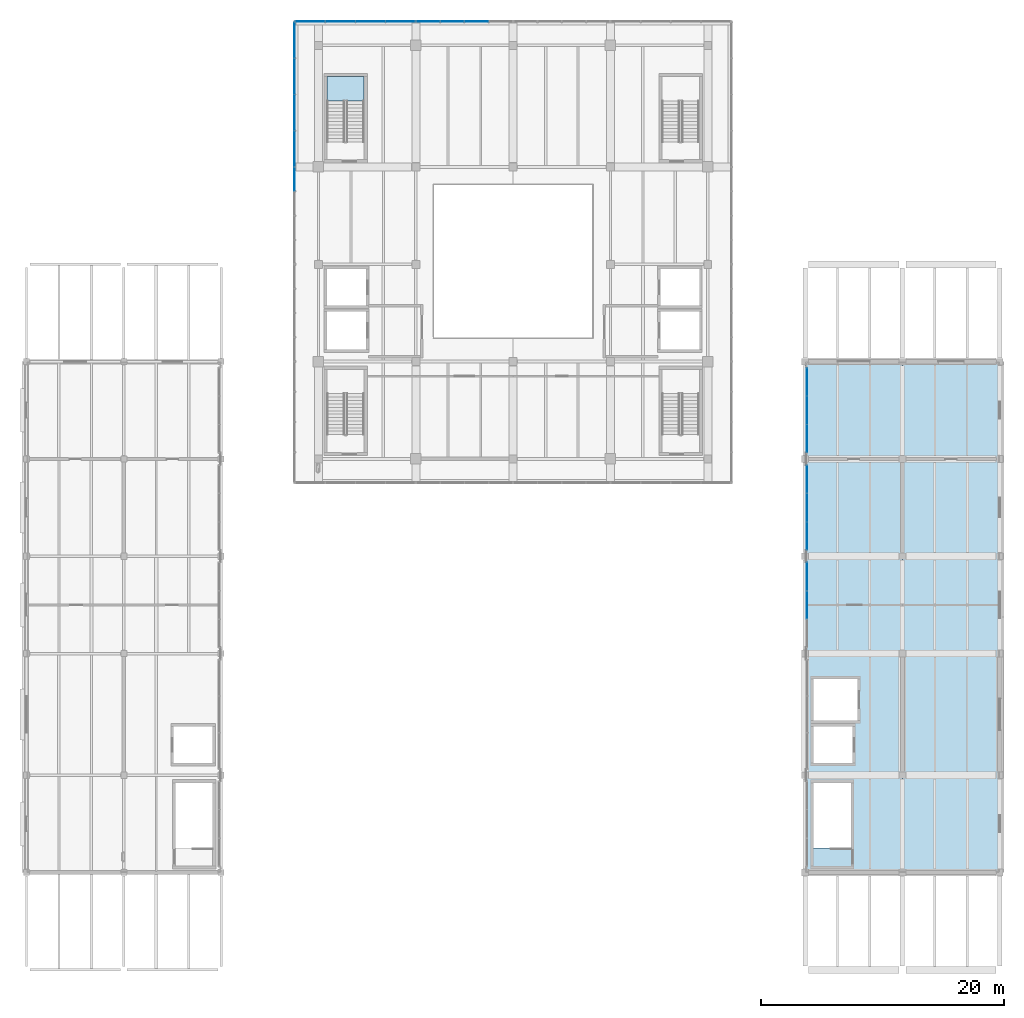
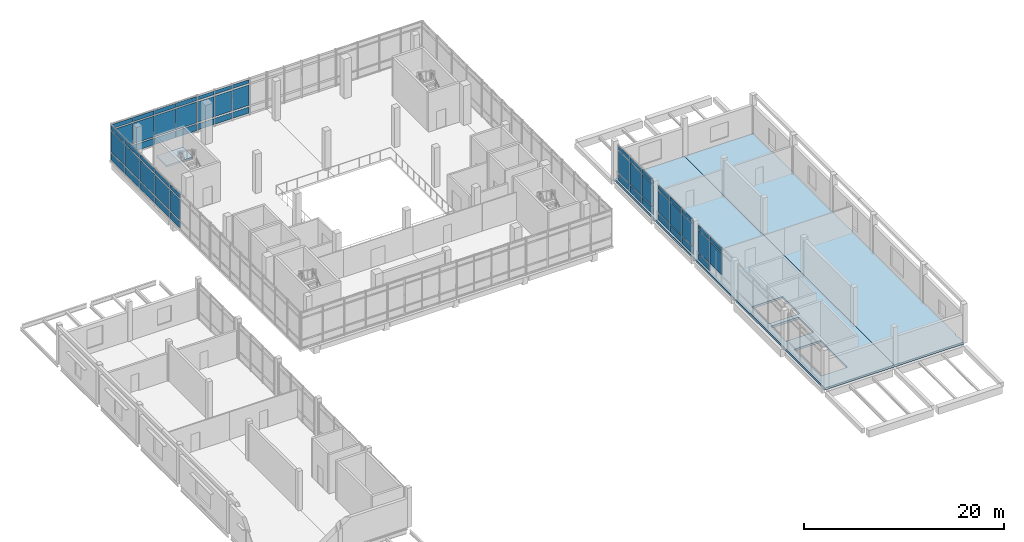
# One storey, part 18 of 28: 59 plates, 3 slabs, 8 elements without a shape of their own.
"""IFC4 building model written with IfcOpenShell, lengths in metres."""

from ifc_helpers import new_model, si_unit, direction, frame, origin, origin_2d, place, context, subcontext, project, spatial, polyline, rectangle, outline, extrude, material, layer, layer_set, type_object, element, aggregate, save


model = new_model("IFC4")

# Units and contexts
model_context = context("Model", 3, precision=1e-05, world=origin(), true_north=direction((0.0, 1.0)))
body_context = subcontext(model_context, "Body", "Model", "MODEL_VIEW")
ifc_project = project(units=[si_unit("LENGTHUNIT", "METRE"), si_unit("AREAUNIT", "SQUARE_METRE"), si_unit("VOLUMEUNIT", "CUBIC_METRE"), si_unit("PLANEANGLEUNIT", "RADIAN"), si_unit("MASSUNIT", "GRAM", prefix="KILO")], contexts=[model_context])

# Site, building, storey
site_placement = place(None, origin())
site = spatial("IfcSite", under=ifc_project, at=site_placement, CompositionType="ELEMENT")
building_placement = place(site_placement, origin())
building = spatial("IfcBuilding", under=site, at=building_placement, Name="Pecanmere Concourse Central Library", CompositionType="ELEMENT")
storey_placement = place(building_placement, frame((0.0, 0.0, 20.10009765625)))
storey = spatial("IfcBuildingStorey", under=building, at=storey_placement, Name="L05", CompositionType="ELEMENT", Elevation=20.10009765625)

# Curtain wall, plates
ifc_material_1 = material(Name="Anodized bronze aluminium alloy 6063-T6", Category="aluminium")
curtain_wall_type_1 = type_object("IfcCurtainWallType", Name="CW_PORTAL_CLEAR", PredefinedType="USERDEFINED", material=ifc_material_1)
curtain_wall_1_placement = place(storey_placement, origin())
curtain_wall_1 = element("IfcCurtainWall", 1, at=curtain_wall_1_placement, inside=storey, type_object=curtain_wall_type_1, Name="Unitised Curtain Wall CW-03 L05-056", ObjectType="UNITISED CURTAIN WALL", PredefinedType="USERDEFINED")
ifc_material_2 = material(Name="White ceramic-fritted insulated spandrel glazing", Category="glass")
ifc_layer_1 = layer(ifc_material_2, 0.053955078125, Name="CWP_SPN_54")
ifc_layer_set_1 = layer_set([ifc_layer_1], Name="White ceramic-fritted insulated spandrel glazing")
plate_type_1 = type_object("IfcPlateType", Name="CWP_SPN_54", PredefinedType="CURTAIN_PANEL", material=ifc_layer_set_1)
plate_1_placement = place(storey_placement, frame((84.998779296875, 125.96142578125, 0.2099609375), z_axis=(0.0, 0.0, 1.0), x_axis=(-1.0, 0.0, 0.0)))
plate_1 = element("IfcPlate", 2, at=plate_1_placement, type_object=plate_type_1, Name="CW-03 Spandrel Panel 2.1", PredefinedType="CURTAIN_PANEL", context=body_context, shape_type="SweptSolid", body=[
    extrude(rectangle(XDim=1.91259765625, YDim=0.035888671875, at=origin_2d()), origin(), (0.0, 0.0, 1.0), 0.735107421875),
])
plate_2_placement = place(storey_placement, frame((83.001220703125, 125.96142578125, 0.2099609375), z_axis=(0.0, 0.0, 1.0), x_axis=(-1.0, 0.0, 0.0)))
plate_2 = element("IfcPlate", 3, at=plate_2_placement, type_object=plate_type_1, Name="CW-03 Spandrel Panel 3.1", PredefinedType="CURTAIN_PANEL", context=body_context, shape_type="SweptSolid", body=[
    extrude(rectangle(XDim=1.91259765625, YDim=0.035888671875, at=origin_2d()), origin(), (0.0, 0.0, 1.0), 0.735107421875),
])
plate_3_placement = place(storey_placement, frame((81.02490234375, 125.96142578125, 0.2099609375), z_axis=(0.0, 0.0, 1.0), x_axis=(-1.0, 0.0, 0.0)))
plate_3 = element("IfcPlate", 4, at=plate_3_placement, type_object=plate_type_1, Name="CW-03 Spandrel Panel 4.1", PredefinedType="CURTAIN_PANEL", context=body_context, shape_type="SweptSolid", body=[
    extrude(rectangle(XDim=1.8701171875, YDim=0.035888671875, at=origin_2d()), origin(), (0.0, 0.0, 1.0), 0.735107421875),
])

ifc_material_3 = material(Name="Anodized bronze aluminium alloy 6063-T6", Category="aluminium")
curtain_wall_type_2 = type_object("IfcCurtainWallType", Name="CW_PLUMB_BANDED", PredefinedType="USERDEFINED", material=ifc_material_3)
curtain_wall_2_placement = place(storey_placement, origin())
curtain_wall_2 = element("IfcCurtainWall", 5, at=curtain_wall_2_placement, inside=storey, type_object=curtain_wall_type_2, Name="Unitised Curtain Wall CW-02 L05-057", ObjectType="UNITISED CURTAIN WALL", PredefinedType="USERDEFINED")
plate_4_placement = place(storey_placement, frame((78.7392578125, 125.96142578125, 0.159912109375), z_axis=(0.0, 0.0, 1.0), x_axis=(-1.0, 0.0, 0.0)))
plate_4 = element("IfcPlate", 6, at=plate_4_placement, type_object=plate_type_1, Name="CW-02 Spandrel Panel 1.1", PredefinedType="CURTAIN_PANEL", context=body_context, shape_type="SweptSolid", body=[
    extrude(rectangle(XDim=2.381591796875, YDim=0.035888671875, at=origin_2d()), origin(), (0.0, 0.0, 1.0), 0.81005859375),
])
plate_5_placement = place(storey_placement, frame((76.2763671875, 125.96142578125, 0.159912109375), z_axis=(0.0, 0.0, 1.0), x_axis=(-1.0, 0.0, 0.0)))
plate_5 = element("IfcPlate", 7, at=plate_5_placement, type_object=plate_type_1, Name="CW-02 Spandrel Panel 2.1", PredefinedType="CURTAIN_PANEL", context=body_context, shape_type="SweptSolid", body=[
    extrude(rectangle(XDim=2.4140625, YDim=0.035888671875, at=origin_2d()), origin(), (0.0, 0.0, 1.0), 0.81005859375),
])
plate_6_placement = place(storey_placement, frame((73.797119140625, 125.96142578125, 0.159912109375), z_axis=(0.0, 0.0, 1.0), x_axis=(-1.0, 0.0, 0.0)))
plate_6 = element("IfcPlate", 8, at=plate_6_placement, type_object=plate_type_1, Name="CW-02 Spandrel Panel 3.1", PredefinedType="CURTAIN_PANEL", context=body_context, shape_type="SweptSolid", body=[
    extrude(rectangle(XDim=2.4140625, YDim=0.035888671875, at=origin_2d()), origin(), (0.0, 0.0, 1.0), 0.81005859375),
])
plate_7_placement = place(storey_placement, frame((71.334228515625, 125.96142578125, 0.159912109375), z_axis=(0.0, 0.0, 1.0), x_axis=(-1.0, 0.0, 0.0)))
plate_7 = element("IfcPlate", 9, at=plate_7_placement, type_object=plate_type_1, Name="CW-02 Spandrel Panel 4.1", PredefinedType="CURTAIN_PANEL", context=body_context, shape_type="SweptSolid", body=[
    extrude(rectangle(XDim=2.381591796875, YDim=0.035888671875, at=origin_2d()), origin(), (0.0, 0.0, 1.0), 0.81005859375),
])

curtain_wall_3_placement = place(storey_placement, origin())
curtain_wall_3 = element("IfcCurtainWall", 10, at=curtain_wall_3_placement, inside=storey, type_object=curtain_wall_type_2, Name="Unitised Curtain Wall CW-02 L05-066", ObjectType="UNITISED CURTAIN WALL", PredefinedType="USERDEFINED")
plate_8_placement = place(storey_placement, frame((70.03857421875, 124.415771484375, 0.159912109375), z_axis=(0.0, 0.0, 1.0), x_axis=(0.0, -1.0, 0.0)))
plate_8 = element("IfcPlate", 11, at=plate_8_placement, type_object=plate_type_1, Name="CW-02 Spandrel Panel 1.1", PredefinedType="CURTAIN_PANEL", context=body_context, shape_type="SweptSolid", body=[
    extrude(rectangle(XDim=2.881591796875, YDim=0.035888671875, at=origin_2d()), origin(), (0.0, 0.0, 1.0), 0.81005859375),
])
plate_9_placement = place(storey_placement, frame((70.03857421875, 121.452880859375, 0.159912109375), z_axis=(0.0, 0.0, 1.0), x_axis=(0.0, -1.0, 0.0)))
plate_9 = element("IfcPlate", 12, at=plate_9_placement, type_object=plate_type_1, Name="CW-02 Spandrel Panel 2.1", PredefinedType="CURTAIN_PANEL", context=body_context, shape_type="SweptSolid", body=[
    extrude(rectangle(XDim=2.9140625, YDim=0.035888671875, at=origin_2d()), origin(), (0.0, 0.0, 1.0), 0.81005859375),
])
plate_10_placement = place(storey_placement, frame((70.03857421875, 118.4736328125, 0.159912109375), z_axis=(0.0, 0.0, 1.0), x_axis=(0.0, -1.0, 0.0)))
plate_10 = element("IfcPlate", 13, at=plate_10_placement, type_object=plate_type_1, Name="CW-02 Spandrel Panel 3.1", PredefinedType="CURTAIN_PANEL", context=body_context, shape_type="SweptSolid", body=[
    extrude(rectangle(XDim=2.9140625, YDim=0.035888671875, at=origin_2d()), origin(), (0.0, 0.0, 1.0), 0.81005859375),
])
plate_11_placement = place(storey_placement, frame((70.03857421875, 115.5107421875, 0.159912109375), z_axis=(0.0, 0.0, 1.0), x_axis=(0.0, -1.0, 0.0)))
plate_11 = element("IfcPlate", 14, at=plate_11_placement, type_object=plate_type_1, Name="CW-02 Spandrel Panel 4.1", PredefinedType="CURTAIN_PANEL", context=body_context, shape_type="SweptSolid", body=[
    extrude(rectangle(XDim=2.881591796875, YDim=0.035888671875, at=origin_2d()), origin(), (0.0, 0.0, 1.0), 0.81005859375),
])

# Curtain wall, plate
curtain_wall_4_placement = place(storey_placement, origin())
curtain_wall_4 = element("IfcCurtainWall", 15, at=curtain_wall_4_placement, inside=storey, type_object=curtain_wall_type_2, Name="Unitised Curtain Wall CW-02 L05-067", ObjectType="UNITISED CURTAIN WALL", PredefinedType="USERDEFINED")
plate_12_placement = place(storey_placement, frame((70.03857421875, 112.97998046875, 0.159912109375), z_axis=(0.0, 0.0, 1.0), x_axis=(0.0, -1.0, 0.0)))
plate_12 = element("IfcPlate", 16, at=plate_12_placement, type_object=plate_type_1, Name="CW-02 Spandrel Panel 1.1", PredefinedType="CURTAIN_PANEL", context=body_context, shape_type="SweptSolid", body=[
    extrude(rectangle(XDim=1.89990234375, YDim=0.035888671875, at=origin_2d()), origin(), (0.0, 0.0, 1.0), 0.81005859375),
])

ifc_material_4 = material(Name="Clear anodized aluminium alloy 6063-T6", Category="aluminium")
curtain_wall_type_3 = type_object("IfcCurtainWallType", Name="CW_CLOISTER_GLAZ", PredefinedType="USERDEFINED", material=ifc_material_4)
curtain_wall_5_placement = place(storey_placement, origin())
curtain_wall_5 = element("IfcCurtainWall", 17, at=curtain_wall_5_placement, inside=storey, type_object=curtain_wall_type_3, Name="Unitised Curtain Wall CW-04 L05-157", ObjectType="UNITISED CURTAIN WALL", PredefinedType="USERDEFINED")
plate_13_placement = place(storey_placement, frame((112.14990234375, 80.331787109375, 0.139892578125), z_axis=(0.0, 0.0, 1.0), x_axis=(0.0, -1.0, 0.0)))
plate_13 = element("IfcPlate", 18, at=plate_13_placement, type_object=plate_type_1, Name="CW-04 Spandrel Panel 1.1", PredefinedType="CURTAIN_PANEL", context=body_context, shape_type="SweptSolid", body=[
    extrude(rectangle(XDim=2.256591796875, YDim=0.035888671875, at=origin_2d()), origin(), (0.0, 0.0, 1.0), 0.7900390625),
])

# Curtain wall, plates
curtain_wall_6_placement = place(storey_placement, origin())
curtain_wall_6 = element("IfcCurtainWall", 19, at=curtain_wall_6_placement, inside=storey, type_object=curtain_wall_type_3, Name="Unitised Curtain Wall CW-04 L05-159", ObjectType="UNITISED CURTAIN WALL", PredefinedType="USERDEFINED")
plate_14_placement = place(storey_placement, frame((112.14990234375, 88.331787109375, 0.139892578125), z_axis=(0.0, 0.0, 1.0), x_axis=(0.0, -1.0, 0.0)))
plate_14 = element("IfcPlate", 20, at=plate_14_placement, type_object=plate_type_1, Name="CW-04 Spandrel Panel 1.1", PredefinedType="CURTAIN_PANEL", context=body_context, shape_type="SweptSolid", body=[
    extrude(rectangle(XDim=2.256591796875, YDim=0.035888671875, at=origin_2d()), origin(), (0.0, 0.0, 1.0), 0.7900390625),
])
plate_15_placement = place(storey_placement, frame((112.14990234375, 86.0, 0.139892578125), z_axis=(0.0, 0.0, 1.0), x_axis=(0.0, -1.0, 0.0)))
plate_15 = element("IfcPlate", 21, at=plate_15_placement, type_object=plate_type_1, Name="CW-04 Spandrel Panel 2.1", PredefinedType="CURTAIN_PANEL", context=body_context, shape_type="SweptSolid", body=[
    extrude(rectangle(XDim=2.28662109375, YDim=0.035888671875, at=origin_2d()), origin(), (0.0, 0.0, 1.0), 0.7900390625),
])
plate_16_placement = place(storey_placement, frame((112.14990234375, 83.668212890625, 0.139892578125), z_axis=(0.0, 0.0, 1.0), x_axis=(0.0, -1.0, 0.0)))
plate_16 = element("IfcPlate", 22, at=plate_16_placement, type_object=plate_type_1, Name="CW-04 Spandrel Panel 3.1", PredefinedType="CURTAIN_PANEL", context=body_context, shape_type="SweptSolid", body=[
    extrude(rectangle(XDim=2.256591796875, YDim=0.035888671875, at=origin_2d()), origin(), (0.0, 0.0, 1.0), 0.7900390625),
])

curtain_wall_7_placement = place(storey_placement, origin())
curtain_wall_7 = element("IfcCurtainWall", 23, at=curtain_wall_7_placement, inside=storey, type_object=curtain_wall_type_3, Name="Unitised Curtain Wall CW-04 L05-161", ObjectType="UNITISED CURTAIN WALL", PredefinedType="USERDEFINED")
plate_17_placement = place(storey_placement, frame((112.14990234375, 96.331787109375, 0.139892578125), z_axis=(0.0, 0.0, 1.0), x_axis=(0.0, -1.0, 0.0)))
plate_17 = element("IfcPlate", 24, at=plate_17_placement, type_object=plate_type_1, Name="CW-04 Spandrel Panel 1.1", PredefinedType="CURTAIN_PANEL", context=body_context, shape_type="SweptSolid", body=[
    extrude(rectangle(XDim=2.256591796875, YDim=0.035888671875, at=origin_2d()), origin(), (0.0, 0.0, 1.0), 0.7900390625),
])
plate_18_placement = place(storey_placement, frame((112.14990234375, 94.0, 0.139892578125), z_axis=(0.0, 0.0, 1.0), x_axis=(0.0, -1.0, 0.0)))
plate_18 = element("IfcPlate", 25, at=plate_18_placement, type_object=plate_type_1, Name="CW-04 Spandrel Panel 2.1", PredefinedType="CURTAIN_PANEL", context=body_context, shape_type="SweptSolid", body=[
    extrude(rectangle(XDim=2.28662109375, YDim=0.035888671875, at=origin_2d()), origin(), (0.0, 0.0, 1.0), 0.7900390625),
])
plate_19_placement = place(storey_placement, frame((112.14990234375, 91.668212890625, 0.139892578125), z_axis=(0.0, 0.0, 1.0), x_axis=(0.0, -1.0, 0.0)))
plate_19 = element("IfcPlate", 26, at=plate_19_placement, type_object=plate_type_1, Name="CW-04 Spandrel Panel 3.1", PredefinedType="CURTAIN_PANEL", context=body_context, shape_type="SweptSolid", body=[
    extrude(rectangle(XDim=2.256591796875, YDim=0.035888671875, at=origin_2d()), origin(), (0.0, 0.0, 1.0), 0.7900390625),
])

# Plate
ifc_material_5 = material(Name="Low-iron clear insulated glazing", Category="glass")
ifc_layer_2 = layer(ifc_material_5, 0.035888671875, Name="CWP_VIS_36")
ifc_layer_set_2 = layer_set([ifc_layer_2], Name="Low-iron clear insulated glazing")
plate_type_2 = type_object("IfcPlateType", Name="CWP_VIS_36", PredefinedType="CURTAIN_PANEL", material=ifc_layer_set_2)
plate_20_placement = place(storey_placement, frame((84.998779296875, 125.96142578125, 1.15478515625), z_axis=(0.0, 0.0, 1.0), x_axis=(-1.0, 0.0, 0.0)))
plate_20 = element("IfcPlate", 27, at=plate_20_placement, type_object=plate_type_2, Name="CW-03 Vision Panel 2.2", PredefinedType="CURTAIN_PANEL", context=body_context, shape_type="SweptSolid", body=[
    extrude(rectangle(XDim=1.91259765625, YDim=0.035888671875, at=origin_2d()), origin(), (0.0, 0.0, 1.0), 2.489990234375),
])

plate_21_placement = place(storey_placement, frame((84.998779296875, 125.96142578125, 3.85498046875), z_axis=(0.0, 0.0, 1.0), x_axis=(-1.0, 0.0, 0.0)))
plate_21 = element("IfcPlate", 28, at=plate_21_placement, type_object=plate_type_2, Name="CW-03 Vision Panel 2.3", PredefinedType="CURTAIN_PANEL", context=body_context, shape_type="SweptSolid", body=[
    extrude(rectangle(XDim=1.91259765625, YDim=0.035888671875, at=origin_2d()), origin(), (0.0, 0.0, 1.0), 0.43505859375),
])

plate_22_placement = place(storey_placement, frame((83.001220703125, 125.96142578125, 1.15478515625), z_axis=(0.0, 0.0, 1.0), x_axis=(-1.0, 0.0, 0.0)))
plate_22 = element("IfcPlate", 29, at=plate_22_placement, type_object=plate_type_2, Name="CW-03 Vision Panel 3.2", PredefinedType="CURTAIN_PANEL", context=body_context, shape_type="SweptSolid", body=[
    extrude(rectangle(XDim=1.91259765625, YDim=0.035888671875, at=origin_2d()), origin(), (0.0, 0.0, 1.0), 2.489990234375),
])

plate_23_placement = place(storey_placement, frame((83.001220703125, 125.96142578125, 3.85498046875), z_axis=(0.0, 0.0, 1.0), x_axis=(-1.0, 0.0, 0.0)))
plate_23 = element("IfcPlate", 30, at=plate_23_placement, type_object=plate_type_2, Name="CW-03 Vision Panel 3.3", PredefinedType="CURTAIN_PANEL", context=body_context, shape_type="SweptSolid", body=[
    extrude(rectangle(XDim=1.91259765625, YDim=0.035888671875, at=origin_2d()), origin(), (0.0, 0.0, 1.0), 0.43505859375),
])

plate_24_placement = place(storey_placement, frame((81.02490234375, 125.96142578125, 1.15478515625), z_axis=(0.0, 0.0, 1.0), x_axis=(-1.0, 0.0, 0.0)))
plate_24 = element("IfcPlate", 31, at=plate_24_placement, type_object=plate_type_2, Name="CW-03 Vision Panel 4.2", PredefinedType="CURTAIN_PANEL", context=body_context, shape_type="SweptSolid", body=[
    extrude(rectangle(XDim=1.8701171875, YDim=0.035888671875, at=origin_2d()), origin(), (0.0, 0.0, 1.0), 2.489990234375),
])

plate_25_placement = place(storey_placement, frame((81.02490234375, 125.96142578125, 3.85498046875), z_axis=(0.0, 0.0, 1.0), x_axis=(-1.0, 0.0, 0.0)))
plate_25 = element("IfcPlate", 32, at=plate_25_placement, type_object=plate_type_2, Name="CW-03 Vision Panel 4.3", PredefinedType="CURTAIN_PANEL", context=body_context, shape_type="SweptSolid", body=[
    extrude(rectangle(XDim=1.8701171875, YDim=0.035888671875, at=origin_2d()), origin(), (0.0, 0.0, 1.0), 0.43505859375),
])

aggregate(curtain_wall_1, [plate_1, plate_20, plate_21, plate_2, plate_22, plate_23, plate_3, plate_24, plate_25])

plate_26_placement = place(storey_placement, frame((78.7392578125, 125.96142578125, 1.1298828125), z_axis=(0.0, 0.0, 1.0), x_axis=(-1.0, 0.0, 0.0)))
plate_26 = element("IfcPlate", 33, at=plate_26_placement, type_object=plate_type_2, Name="CW-02 Vision Panel 1.2", PredefinedType="CURTAIN_PANEL", context=body_context, shape_type="SweptSolid", body=[
    extrude(rectangle(XDim=2.381591796875, YDim=0.035888671875, at=origin_2d()), origin(), (0.0, 0.0, 1.0), 2.5400390625),
])

plate_27_placement = place(storey_placement, frame((78.7392578125, 125.96142578125, 3.830078125), z_axis=(0.0, 0.0, 1.0), x_axis=(-1.0, 0.0, 0.0)))
plate_27 = element("IfcPlate", 34, at=plate_27_placement, type_object=plate_type_2, Name="CW-02 Vision Panel 1.3", PredefinedType="CURTAIN_PANEL", context=body_context, shape_type="SweptSolid", body=[
    extrude(rectangle(XDim=2.381591796875, YDim=0.035888671875, at=origin_2d()), origin(), (0.0, 0.0, 1.0), 0.510009765625),
])

plate_28_placement = place(storey_placement, frame((76.2763671875, 125.96142578125, 1.1298828125), z_axis=(0.0, 0.0, 1.0), x_axis=(-1.0, 0.0, 0.0)))
plate_28 = element("IfcPlate", 35, at=plate_28_placement, type_object=plate_type_2, Name="CW-02 Vision Panel 2.2", PredefinedType="CURTAIN_PANEL", context=body_context, shape_type="SweptSolid", body=[
    extrude(rectangle(XDim=2.4140625, YDim=0.035888671875, at=origin_2d()), origin(), (0.0, 0.0, 1.0), 2.5400390625),
])

plate_29_placement = place(storey_placement, frame((76.2763671875, 125.96142578125, 3.830078125), z_axis=(0.0, 0.0, 1.0), x_axis=(-1.0, 0.0, 0.0)))
plate_29 = element("IfcPlate", 36, at=plate_29_placement, type_object=plate_type_2, Name="CW-02 Vision Panel 2.3", PredefinedType="CURTAIN_PANEL", context=body_context, shape_type="SweptSolid", body=[
    extrude(rectangle(XDim=2.4140625, YDim=0.035888671875, at=origin_2d()), origin(), (0.0, 0.0, 1.0), 0.510009765625),
])

plate_30_placement = place(storey_placement, frame((73.797119140625, 125.96142578125, 1.1298828125), z_axis=(0.0, 0.0, 1.0), x_axis=(-1.0, 0.0, 0.0)))
plate_30 = element("IfcPlate", 37, at=plate_30_placement, type_object=plate_type_2, Name="CW-02 Vision Panel 3.2", PredefinedType="CURTAIN_PANEL", context=body_context, shape_type="SweptSolid", body=[
    extrude(rectangle(XDim=2.4140625, YDim=0.035888671875, at=origin_2d()), origin(), (0.0, 0.0, 1.0), 2.5400390625),
])

plate_31_placement = place(storey_placement, frame((73.797119140625, 125.96142578125, 3.830078125), z_axis=(0.0, 0.0, 1.0), x_axis=(-1.0, 0.0, 0.0)))
plate_31 = element("IfcPlate", 38, at=plate_31_placement, type_object=plate_type_2, Name="CW-02 Vision Panel 3.3", PredefinedType="CURTAIN_PANEL", context=body_context, shape_type="SweptSolid", body=[
    extrude(rectangle(XDim=2.4140625, YDim=0.035888671875, at=origin_2d()), origin(), (0.0, 0.0, 1.0), 0.510009765625),
])

plate_32_placement = place(storey_placement, frame((71.334228515625, 125.96142578125, 1.1298828125), z_axis=(0.0, 0.0, 1.0), x_axis=(-1.0, 0.0, 0.0)))
plate_32 = element("IfcPlate", 39, at=plate_32_placement, type_object=plate_type_2, Name="CW-02 Vision Panel 4.2", PredefinedType="CURTAIN_PANEL", context=body_context, shape_type="SweptSolid", body=[
    extrude(rectangle(XDim=2.381591796875, YDim=0.035888671875, at=origin_2d()), origin(), (0.0, 0.0, 1.0), 2.5400390625),
])

plate_33_placement = place(storey_placement, frame((71.334228515625, 125.96142578125, 3.830078125), z_axis=(0.0, 0.0, 1.0), x_axis=(-1.0, 0.0, 0.0)))
plate_33 = element("IfcPlate", 40, at=plate_33_placement, type_object=plate_type_2, Name="CW-02 Vision Panel 4.3", PredefinedType="CURTAIN_PANEL", context=body_context, shape_type="SweptSolid", body=[
    extrude(rectangle(XDim=2.381591796875, YDim=0.035888671875, at=origin_2d()), origin(), (0.0, 0.0, 1.0), 0.510009765625),
])

aggregate(curtain_wall_2, [plate_4, plate_26, plate_27, plate_5, plate_28, plate_29, plate_6, plate_30, plate_31, plate_7, plate_32, plate_33])

plate_34_placement = place(storey_placement, frame((70.03857421875, 124.415771484375, 1.1298828125), z_axis=(0.0, 0.0, 1.0), x_axis=(0.0, -1.0, 0.0)))
plate_34 = element("IfcPlate", 41, at=plate_34_placement, type_object=plate_type_2, Name="CW-02 Vision Panel 1.2", PredefinedType="CURTAIN_PANEL", context=body_context, shape_type="SweptSolid", body=[
    extrude(rectangle(XDim=2.881591796875, YDim=0.035888671875, at=origin_2d()), origin(), (0.0, 0.0, 1.0), 2.5400390625),
])

plate_35_placement = place(storey_placement, frame((70.03857421875, 124.415771484375, 3.830078125), z_axis=(0.0, 0.0, 1.0), x_axis=(0.0, -1.0, 0.0)))
plate_35 = element("IfcPlate", 42, at=plate_35_placement, type_object=plate_type_2, Name="CW-02 Vision Panel 1.3", PredefinedType="CURTAIN_PANEL", context=body_context, shape_type="SweptSolid", body=[
    extrude(rectangle(XDim=2.881591796875, YDim=0.035888671875, at=origin_2d()), origin(), (0.0, 0.0, 1.0), 0.510009765625),
])

plate_36_placement = place(storey_placement, frame((70.03857421875, 121.452880859375, 1.1298828125), z_axis=(0.0, 0.0, 1.0), x_axis=(0.0, -1.0, 0.0)))
plate_36 = element("IfcPlate", 43, at=plate_36_placement, type_object=plate_type_2, Name="CW-02 Vision Panel 2.2", PredefinedType="CURTAIN_PANEL", context=body_context, shape_type="SweptSolid", body=[
    extrude(rectangle(XDim=2.9140625, YDim=0.035888671875, at=origin_2d()), origin(), (0.0, 0.0, 1.0), 2.5400390625),
])

plate_37_placement = place(storey_placement, frame((70.03857421875, 121.452880859375, 3.830078125), z_axis=(0.0, 0.0, 1.0), x_axis=(0.0, -1.0, 0.0)))
plate_37 = element("IfcPlate", 44, at=plate_37_placement, type_object=plate_type_2, Name="CW-02 Vision Panel 2.3", PredefinedType="CURTAIN_PANEL", context=body_context, shape_type="SweptSolid", body=[
    extrude(rectangle(XDim=2.9140625, YDim=0.035888671875, at=origin_2d()), origin(), (0.0, 0.0, 1.0), 0.510009765625),
])

plate_38_placement = place(storey_placement, frame((70.03857421875, 118.4736328125, 1.1298828125), z_axis=(0.0, 0.0, 1.0), x_axis=(0.0, -1.0, 0.0)))
plate_38 = element("IfcPlate", 45, at=plate_38_placement, type_object=plate_type_2, Name="CW-02 Vision Panel 3.2", PredefinedType="CURTAIN_PANEL", context=body_context, shape_type="SweptSolid", body=[
    extrude(rectangle(XDim=2.9140625, YDim=0.035888671875, at=origin_2d()), origin(), (0.0, 0.0, 1.0), 2.5400390625),
])

plate_39_placement = place(storey_placement, frame((70.03857421875, 118.4736328125, 3.830078125), z_axis=(0.0, 0.0, 1.0), x_axis=(0.0, -1.0, 0.0)))
plate_39 = element("IfcPlate", 46, at=plate_39_placement, type_object=plate_type_2, Name="CW-02 Vision Panel 3.3", PredefinedType="CURTAIN_PANEL", context=body_context, shape_type="SweptSolid", body=[
    extrude(rectangle(XDim=2.9140625, YDim=0.035888671875, at=origin_2d()), origin(), (0.0, 0.0, 1.0), 0.510009765625),
])

plate_40_placement = place(storey_placement, frame((70.03857421875, 115.5107421875, 1.1298828125), z_axis=(0.0, 0.0, 1.0), x_axis=(0.0, -1.0, 0.0)))
plate_40 = element("IfcPlate", 47, at=plate_40_placement, type_object=plate_type_2, Name="CW-02 Vision Panel 4.2", PredefinedType="CURTAIN_PANEL", context=body_context, shape_type="SweptSolid", body=[
    extrude(rectangle(XDim=2.881591796875, YDim=0.035888671875, at=origin_2d()), origin(), (0.0, 0.0, 1.0), 2.5400390625),
])

plate_41_placement = place(storey_placement, frame((70.03857421875, 115.5107421875, 3.830078125), z_axis=(0.0, 0.0, 1.0), x_axis=(0.0, -1.0, 0.0)))
plate_41 = element("IfcPlate", 48, at=plate_41_placement, type_object=plate_type_2, Name="CW-02 Vision Panel 4.3", PredefinedType="CURTAIN_PANEL", context=body_context, shape_type="SweptSolid", body=[
    extrude(rectangle(XDim=2.881591796875, YDim=0.035888671875, at=origin_2d()), origin(), (0.0, 0.0, 1.0), 0.510009765625),
])

aggregate(curtain_wall_3, [plate_8, plate_34, plate_35, plate_9, plate_36, plate_37, plate_10, plate_38, plate_39, plate_11, plate_40, plate_41])

plate_42_placement = place(storey_placement, frame((70.03857421875, 112.97998046875, 1.1298828125), z_axis=(0.0, 0.0, 1.0), x_axis=(0.0, -1.0, 0.0)))
plate_42 = element("IfcPlate", 49, at=plate_42_placement, type_object=plate_type_2, Name="CW-02 Vision Panel 1.2", PredefinedType="CURTAIN_PANEL", context=body_context, shape_type="SweptSolid", body=[
    extrude(rectangle(XDim=1.89990234375, YDim=0.035888671875, at=origin_2d()), origin(), (0.0, 0.0, 1.0), 2.5400390625),
])

plate_43_placement = place(storey_placement, frame((70.03857421875, 112.97998046875, 3.830078125), z_axis=(0.0, 0.0, 1.0), x_axis=(0.0, -1.0, 0.0)))
plate_43 = element("IfcPlate", 50, at=plate_43_placement, type_object=plate_type_2, Name="CW-02 Vision Panel 1.3", PredefinedType="CURTAIN_PANEL", context=body_context, shape_type="SweptSolid", body=[
    extrude(rectangle(XDim=1.89990234375, YDim=0.035888671875, at=origin_2d()), origin(), (0.0, 0.0, 1.0), 0.510009765625),
])

aggregate(curtain_wall_4, [plate_12, plate_42, plate_43])

plate_44_placement = place(storey_placement, frame((112.14990234375, 80.331787109375, 1.06982421875), z_axis=(0.0, 0.0, 1.0), x_axis=(0.0, -1.0, 0.0)))
plate_44 = element("IfcPlate", 51, at=plate_44_placement, type_object=plate_type_2, Name="CW-04 Vision Panel 1.2", PredefinedType="CURTAIN_PANEL", context=body_context, shape_type="SweptSolid", body=[
    extrude(rectangle(XDim=2.256591796875, YDim=0.035888671875, at=origin_2d()), origin(), (0.0, 0.0, 1.0), 2.659912109375),
])

plate_45_placement = place(storey_placement, frame((112.14990234375, 80.331787109375, 3.8701171875), z_axis=(0.0, 0.0, 1.0), x_axis=(0.0, -1.0, 0.0)))
plate_45 = element("IfcPlate", 52, at=plate_45_placement, type_object=plate_type_2, Name="CW-04 Vision Panel 1.3", PredefinedType="CURTAIN_PANEL", context=body_context, shape_type="SweptSolid", body=[
    extrude(rectangle(XDim=2.256591796875, YDim=0.035888671875, at=origin_2d()), origin(), (0.0, 0.0, 1.0), 0.489990234375),
])

plate_46_placement = place(storey_placement, frame((112.14990234375, 78.0, 1.06982421875), z_axis=(0.0, 0.0, 1.0), x_axis=(0.0, -1.0, 0.0)))
plate_46 = element("IfcPlate", 53, at=plate_46_placement, type_object=plate_type_2, Name="CW-04 Vision Panel 2.2", PredefinedType="CURTAIN_PANEL", context=body_context, shape_type="SweptSolid", body=[
    extrude(rectangle(XDim=2.28662109375, YDim=0.035888671875, at=origin_2d()), origin(), (0.0, 0.0, 1.0), 2.659912109375),
])

plate_47_placement = place(storey_placement, frame((112.14990234375, 78.0, 3.8701171875), z_axis=(0.0, 0.0, 1.0), x_axis=(0.0, -1.0, 0.0)))
plate_47 = element("IfcPlate", 54, at=plate_47_placement, type_object=plate_type_2, Name="CW-04 Vision Panel 2.3", PredefinedType="CURTAIN_PANEL", context=body_context, shape_type="SweptSolid", body=[
    extrude(rectangle(XDim=2.28662109375, YDim=0.035888671875, at=origin_2d()), origin(), (0.0, 0.0, 1.0), 0.489990234375),
])

aggregate(curtain_wall_5, [plate_13, plate_44, plate_45, plate_46, plate_47])

plate_48_placement = place(storey_placement, frame((112.14990234375, 88.331787109375, 1.06982421875), z_axis=(0.0, 0.0, 1.0), x_axis=(0.0, -1.0, 0.0)))
plate_48 = element("IfcPlate", 55, at=plate_48_placement, type_object=plate_type_2, Name="CW-04 Vision Panel 1.2", PredefinedType="CURTAIN_PANEL", context=body_context, shape_type="SweptSolid", body=[
    extrude(rectangle(XDim=2.256591796875, YDim=0.035888671875, at=origin_2d()), origin(), (0.0, 0.0, 1.0), 2.659912109375),
])

plate_49_placement = place(storey_placement, frame((112.14990234375, 88.331787109375, 3.8701171875), z_axis=(0.0, 0.0, 1.0), x_axis=(0.0, -1.0, 0.0)))
plate_49 = element("IfcPlate", 56, at=plate_49_placement, type_object=plate_type_2, Name="CW-04 Vision Panel 1.3", PredefinedType="CURTAIN_PANEL", context=body_context, shape_type="SweptSolid", body=[
    extrude(rectangle(XDim=2.256591796875, YDim=0.035888671875, at=origin_2d()), origin(), (0.0, 0.0, 1.0), 0.489990234375),
])

plate_50_placement = place(storey_placement, frame((112.14990234375, 86.0, 1.06982421875), z_axis=(0.0, 0.0, 1.0), x_axis=(0.0, -1.0, 0.0)))
plate_50 = element("IfcPlate", 57, at=plate_50_placement, type_object=plate_type_2, Name="CW-04 Vision Panel 2.2", PredefinedType="CURTAIN_PANEL", context=body_context, shape_type="SweptSolid", body=[
    extrude(rectangle(XDim=2.28662109375, YDim=0.035888671875, at=origin_2d()), origin(), (0.0, 0.0, 1.0), 2.659912109375),
])

plate_51_placement = place(storey_placement, frame((112.14990234375, 86.0, 3.8701171875), z_axis=(0.0, 0.0, 1.0), x_axis=(0.0, -1.0, 0.0)))
plate_51 = element("IfcPlate", 58, at=plate_51_placement, type_object=plate_type_2, Name="CW-04 Vision Panel 2.3", PredefinedType="CURTAIN_PANEL", context=body_context, shape_type="SweptSolid", body=[
    extrude(rectangle(XDim=2.28662109375, YDim=0.035888671875, at=origin_2d()), origin(), (0.0, 0.0, 1.0), 0.489990234375),
])

plate_52_placement = place(storey_placement, frame((112.14990234375, 83.668212890625, 1.06982421875), z_axis=(0.0, 0.0, 1.0), x_axis=(0.0, -1.0, 0.0)))
plate_52 = element("IfcPlate", 59, at=plate_52_placement, type_object=plate_type_2, Name="CW-04 Vision Panel 3.2", PredefinedType="CURTAIN_PANEL", context=body_context, shape_type="SweptSolid", body=[
    extrude(rectangle(XDim=2.256591796875, YDim=0.035888671875, at=origin_2d()), origin(), (0.0, 0.0, 1.0), 2.659912109375),
])

plate_53_placement = place(storey_placement, frame((112.14990234375, 83.668212890625, 3.8701171875), z_axis=(0.0, 0.0, 1.0), x_axis=(0.0, -1.0, 0.0)))
plate_53 = element("IfcPlate", 60, at=plate_53_placement, type_object=plate_type_2, Name="CW-04 Vision Panel 3.3", PredefinedType="CURTAIN_PANEL", context=body_context, shape_type="SweptSolid", body=[
    extrude(rectangle(XDim=2.256591796875, YDim=0.035888671875, at=origin_2d()), origin(), (0.0, 0.0, 1.0), 0.489990234375),
])

aggregate(curtain_wall_6, [plate_14, plate_48, plate_49, plate_15, plate_50, plate_51, plate_16, plate_52, plate_53])

plate_54_placement = place(storey_placement, frame((112.14990234375, 96.331787109375, 1.06982421875), z_axis=(0.0, 0.0, 1.0), x_axis=(0.0, -1.0, 0.0)))
plate_54 = element("IfcPlate", 61, at=plate_54_placement, type_object=plate_type_2, Name="CW-04 Vision Panel 1.2", PredefinedType="CURTAIN_PANEL", context=body_context, shape_type="SweptSolid", body=[
    extrude(rectangle(XDim=2.256591796875, YDim=0.035888671875, at=origin_2d()), origin(), (0.0, 0.0, 1.0), 2.659912109375),
])

plate_55_placement = place(storey_placement, frame((112.14990234375, 96.331787109375, 3.8701171875), z_axis=(0.0, 0.0, 1.0), x_axis=(0.0, -1.0, 0.0)))
plate_55 = element("IfcPlate", 62, at=plate_55_placement, type_object=plate_type_2, Name="CW-04 Vision Panel 1.3", PredefinedType="CURTAIN_PANEL", context=body_context, shape_type="SweptSolid", body=[
    extrude(rectangle(XDim=2.256591796875, YDim=0.035888671875, at=origin_2d()), origin(), (0.0, 0.0, 1.0), 0.489990234375),
])

plate_56_placement = place(storey_placement, frame((112.14990234375, 94.0, 1.06982421875), z_axis=(0.0, 0.0, 1.0), x_axis=(0.0, -1.0, 0.0)))
plate_56 = element("IfcPlate", 63, at=plate_56_placement, type_object=plate_type_2, Name="CW-04 Vision Panel 2.2", PredefinedType="CURTAIN_PANEL", context=body_context, shape_type="SweptSolid", body=[
    extrude(rectangle(XDim=2.28662109375, YDim=0.035888671875, at=origin_2d()), origin(), (0.0, 0.0, 1.0), 2.659912109375),
])

plate_57_placement = place(storey_placement, frame((112.14990234375, 94.0, 3.8701171875), z_axis=(0.0, 0.0, 1.0), x_axis=(0.0, -1.0, 0.0)))
plate_57 = element("IfcPlate", 64, at=plate_57_placement, type_object=plate_type_2, Name="CW-04 Vision Panel 2.3", PredefinedType="CURTAIN_PANEL", context=body_context, shape_type="SweptSolid", body=[
    extrude(rectangle(XDim=2.28662109375, YDim=0.035888671875, at=origin_2d()), origin(), (0.0, 0.0, 1.0), 0.489990234375),
])

plate_58_placement = place(storey_placement, frame((112.14990234375, 91.668212890625, 1.06982421875), z_axis=(0.0, 0.0, 1.0), x_axis=(0.0, -1.0, 0.0)))
plate_58 = element("IfcPlate", 65, at=plate_58_placement, type_object=plate_type_2, Name="CW-04 Vision Panel 3.2", PredefinedType="CURTAIN_PANEL", context=body_context, shape_type="SweptSolid", body=[
    extrude(rectangle(XDim=2.256591796875, YDim=0.035888671875, at=origin_2d()), origin(), (0.0, 0.0, 1.0), 2.659912109375),
])

plate_59_placement = place(storey_placement, frame((112.14990234375, 91.668212890625, 3.8701171875), z_axis=(0.0, 0.0, 1.0), x_axis=(0.0, -1.0, 0.0)))
plate_59 = element("IfcPlate", 66, at=plate_59_placement, type_object=plate_type_2, Name="CW-04 Vision Panel 3.3", PredefinedType="CURTAIN_PANEL", context=body_context, shape_type="SweptSolid", body=[
    extrude(rectangle(XDim=2.256591796875, YDim=0.035888671875, at=origin_2d()), origin(), (0.0, 0.0, 1.0), 0.489990234375),
])

aggregate(curtain_wall_7, [plate_17, plate_54, plate_55, plate_18, plate_56, plate_57, plate_19, plate_58, plate_59])

# Stair, slab
ifc_material_6 = material(Name="Concrete C35/45", Category="concrete")
stair_type = type_object("IfcStairType", Name="STAIR_TYPE_ST-03-1846", PredefinedType="USERDEFINED", material=ifc_material_6)
stair_placement = place(storey_placement, origin())
stair = element("IfcStair", 67, at=stair_placement, inside=storey, type_object=stair_type, Name="L05 Protected Stair ST-03", ObjectType="TWO_RETURN_STAIR", PredefinedType="USERDEFINED")
ifc_material_7 = material(Name="Concrete C35/45", Category="concrete")
ifc_layer_3 = layer(ifc_material_7, 0.199951171875, Name="SLAB_LANDING_200")
ifc_layer_set_3 = layer_set([ifc_layer_3], Name="Concrete C35/45")
slab_type_1 = type_object("IfcSlabType", Name="SLAB_LANDING_200", PredefinedType="LANDING", material=ifc_layer_set_3)
slab_1_placement = place(storey_placement, frame((0.0, 0.0, 2.199951171875)))
slab_1 = element("IfcSlab", 68, at=slab_1_placement, type_object=slab_type_1, Name="ST-03-1846 landing 1", PredefinedType="LANDING", context=body_context, shape_type="SweptSolid", body=[
    extrude(outline(polyline([(75.760009765625, 119.409912109375), (75.760009765625, 121.419921875), (72.699951171875, 121.419921875), (72.699951171875, 119.409912109375), (75.760009765625, 119.409912109375)])), origin(), (0.0, 0.0, 1.0), 0.199951171875),
])
aggregate(stair, [slab_1])

# Slabs
ifc_material_8 = material(Name="Concrete C35/45", Category="concrete")
ifc_layer_4 = layer(ifc_material_8, 0.25, Name="SLAB_READ_250")
ifc_layer_set_4 = layer_set([ifc_layer_4], Name="Concrete C35/45")
slab_type_2 = type_object("IfcSlabType", Name="SLAB_READ_250", PredefinedType="FLOOR", material=ifc_layer_set_4)
slab_2_placement = place(storey_placement, frame((0.0, 0.0, -0.25)))
element("IfcSlab", 69, at=slab_2_placement, inside=storey, type_object=slab_type_2, Name="Floor Slab V2 L05-136", PredefinedType="FLOOR", context=body_context, shape_type="SweptSolid", body=[
    extrude(outline(polyline([(120.0, 56.0), (112.0, 56.0), (112.0, 98.0), (120.0, 98.0), (120.0, 56.0)]), holes=[polyline([(112.699951171875, 63.3701171875), (112.699951171875, 58.030029296875), (115.760009765625, 58.030029296875), (115.760009765625, 63.3701171875), (112.699951171875, 63.3701171875)]), polyline([(115.89990234375, 68.0), (112.699951171875, 68.0), (112.699951171875, 65.0), (115.89990234375, 65.0), (115.89990234375, 68.0)]), polyline([(116.300048828125, 71.89990234375), (112.699951171875, 71.89990234375), (112.699951171875, 68.5), (116.300048828125, 68.5), (116.300048828125, 71.89990234375)])]), origin(), (0.0, 0.0, 1.0), 0.25),
])
slab_3_placement = place(storey_placement, frame((0.0, 0.0, -0.25)))
element("IfcSlab", 70, at=slab_3_placement, inside=storey, type_object=slab_type_2, Name="Floor Slab V2 L05-137", PredefinedType="FLOOR", context=body_context, shape_type="SweptSolid", body=[
    extrude(outline(polyline([(120.0, 98.0), (128.0, 98.0), (128.0, 57.60009765625), (127.919921875, 57.60009765625), (127.919921875, 57.0), (128.0, 57.0), (128.0, 56.0), (120.0, 56.0), (120.0, 98.0)])), origin(), (0.0, 0.0, 1.0), 0.25),
])

save(model, "model.ifc")
